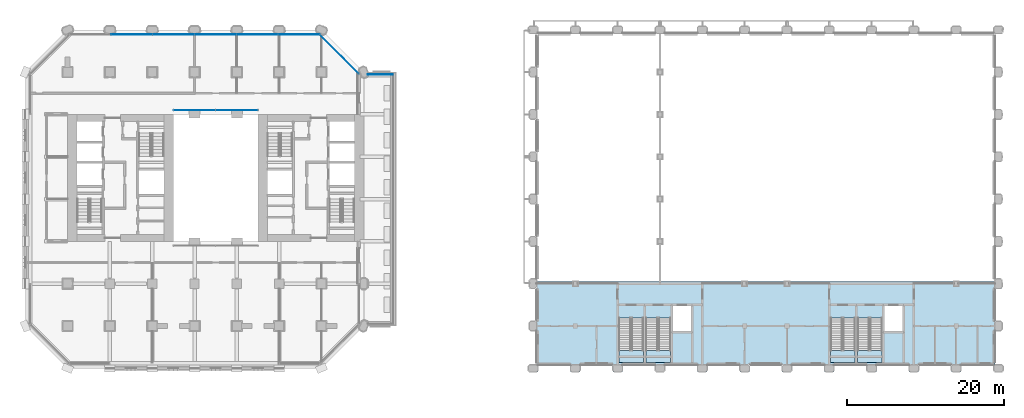
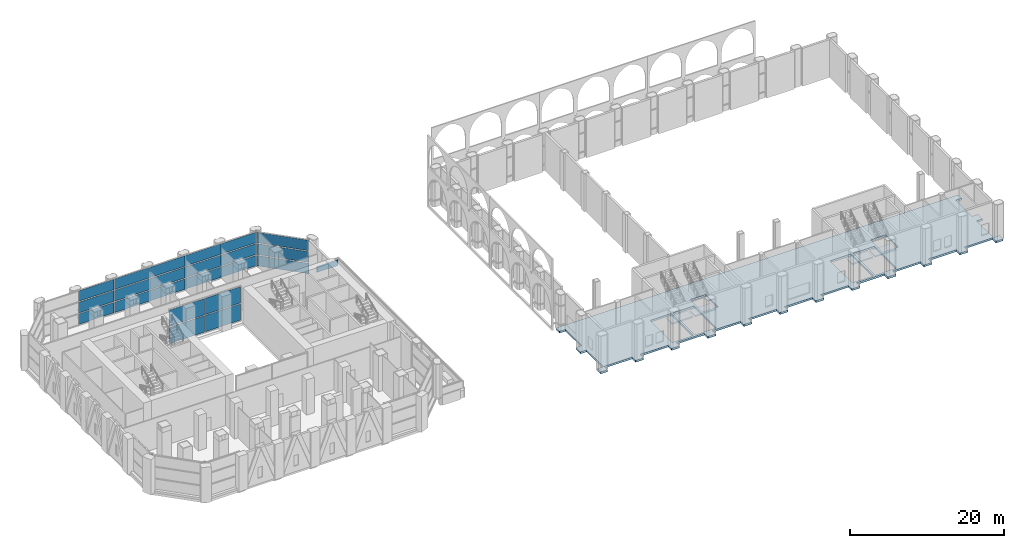
# One storey, part 11 of 34: 23 plates, 5 slabs, 7 elements without a shape of their own.
"""IFC4 building model written with IfcOpenShell, lengths in metres."""

from ifc_helpers import new_model, si_unit, direction, frame, frame_2d, origin, origin_2d, place, context, subcontext, project, spatial, polyline, rectangle, outline, extrude, material, layer, layer_set, type_object, element, aggregate, save


model = new_model("IFC4")

# Units and contexts
model_context = context("Model", 3, precision=1e-05, world=origin(), true_north=direction((0.0, 1.0)))
body_context = subcontext(model_context, "Body", "Model", "MODEL_VIEW")
ifc_project = project(units=[si_unit("LENGTHUNIT", "METRE"), si_unit("AREAUNIT", "SQUARE_METRE"), si_unit("VOLUMEUNIT", "CUBIC_METRE"), si_unit("PLANEANGLEUNIT", "RADIAN"), si_unit("MASSUNIT", "GRAM", prefix="KILO")], contexts=[model_context])

# Site, building, storey
site_placement = place(None, origin())
site = spatial("IfcSite", under=ifc_project, at=site_placement, CompositionType="ELEMENT")
building_placement = place(site_placement, origin())
building = spatial("IfcBuilding", under=site, at=building_placement, Name="Tabaq Tower and Sports Hall", CompositionType="ELEMENT")
storey_placement = place(building_placement, frame((0.0, 0.0, 8.39990234375)))
storey = spatial("IfcBuildingStorey", under=building, at=storey_placement, Name="L01", CompositionType="ELEMENT", Elevation=8.39990234375)

# Curtain wall, plates
ifc_material_1 = material(Name="Aluminium alloy 6063-T6 framed glazing", Category="aluminium")
curtain_wall_type_1 = type_object("IfcCurtainWallType", Name="CW1 curtain wall", PredefinedType="USERDEFINED", material=ifc_material_1)
curtain_wall_1_placement = place(storey_placement, origin())
curtain_wall_1 = element("IfcCurtainWall", 1, at=curtain_wall_1_placement, inside=storey, type_object=curtain_wall_type_1, Name="Atrium glazing L01 N", ObjectType="ATRIUM ENCLOSURE", PredefinedType="USERDEFINED")
ifc_material_2 = material(Name="Clear low-emissivity glass 28 mm", Category="glass")
ifc_layer_1 = layer(ifc_material_2, 0.028076171875)
ifc_layer_set_1 = layer_set([ifc_layer_1], Name="CW1 glass panel 28")
plate_type_1 = type_object("IfcPlateType", Name="CW1 glass panel 28", PredefinedType="CURTAIN_PANEL", material=ifc_layer_set_1)
plate_1_placement = place(storey_placement, frame((21.614990234375, 32.949951171875, 0.14013671875), z_axis=(0.0, 0.0, 1.0), x_axis=(1.0, 0.0, 0.0)))
plate_1 = element("IfcPlate", 2, at=plate_1_placement, type_object=plate_type_1, Name="CW1 panel 1.1", PredefinedType="CURTAIN_PANEL", context=body_context, shape_type="SweptSolid", body=[
    extrude(rectangle(XDim=5.31005859375, YDim=0.028076171875, at=origin_2d()), origin(), (0.0, 0.0, 1.0), 2.590087890625),
])
plate_2_placement = place(storey_placement, frame((21.614990234375, 32.949951171875, 2.8701171875), z_axis=(0.0, 0.0, 1.0), x_axis=(1.0, 0.0, 0.0)))
plate_2 = element("IfcPlate", 3, at=plate_2_placement, type_object=plate_type_1, Name="CW1 panel 1.2", PredefinedType="CURTAIN_PANEL", context=body_context, shape_type="SweptSolid", body=[
    extrude(rectangle(XDim=5.31005859375, YDim=0.028076171875, at=origin_2d()), origin(), (0.0, 0.0, 1.0), 2.590087890625),
])
plate_3_placement = place(storey_placement, frame((26.985107421875, 32.949951171875, 0.14013671875), z_axis=(0.0, 0.0, 1.0), x_axis=(1.0, 0.0, 0.0)))
plate_3 = element("IfcPlate", 4, at=plate_3_placement, type_object=plate_type_1, Name="CW1 panel 2.1", PredefinedType="CURTAIN_PANEL", context=body_context, shape_type="SweptSolid", body=[
    extrude(rectangle(XDim=5.31005859375, YDim=0.028076171875, at=origin_2d()), origin(), (0.0, 0.0, 1.0), 2.590087890625),
])
plate_4_placement = place(storey_placement, frame((26.985107421875, 32.949951171875, 2.8701171875), z_axis=(0.0, 0.0, 1.0), x_axis=(1.0, 0.0, 0.0)))
plate_4 = element("IfcPlate", 5, at=plate_4_placement, type_object=plate_type_1, Name="CW1 panel 2.2", PredefinedType="CURTAIN_PANEL", context=body_context, shape_type="SweptSolid", body=[
    extrude(rectangle(XDim=5.31005859375, YDim=0.028076171875, at=origin_2d()), origin(), (0.0, 0.0, 1.0), 2.590087890625),
])
aggregate(curtain_wall_1, [plate_1, plate_2, plate_3, plate_4])

ifc_material_3 = material(Name="Aluminium alloy 6063-T6 framed glazing", Category="aluminium")
curtain_wall_type_2 = type_object("IfcCurtainWallType", Name="CW7 curtain wall", PredefinedType="USERDEFINED", material=ifc_material_3)
curtain_wall_2_placement = place(storey_placement, origin())
curtain_wall_2 = element("IfcCurtainWall", 6, at=curtain_wall_2_placement, inside=storey, type_object=curtain_wall_type_2, Name="Podium Wall L01 NE", ObjectType="PODIUM WALL", PredefinedType="USERDEFINED")
ifc_material_4 = material(Name="Clear low-emissivity glass 28 mm", Category="glass")
ifc_layer_2 = layer(ifc_material_4, 0.030029296875)
ifc_layer_set_2 = layer_set([ifc_layer_2], Name="CW7 glass panel 30")
plate_type_2 = type_object("IfcPlateType", Name="CW7 glass panel 30", PredefinedType="CURTAIN_PANEL", material=ifc_layer_set_2)
plate_5_placement = place(storey_placement, frame((40.07568359375, 40.07568359375, 0.14013671875), z_axis=(0.0, 0.0, 1.0), x_axis=(-0.707106781187, 0.707106781187, 0.0)))
plate_5 = element("IfcPlate", 7, at=plate_5_placement, type_object=plate_type_2, Name="CW7 panel 1.1", PredefinedType="CURTAIN_PANEL", context=body_context, shape_type="SweptSolid", body=[
    extrude(rectangle(XDim=7.009765625, YDim=0.030029296875, at=origin_2d()), origin(), (0.0, 0.0, 1.0), 1.65673828125),
])
plate_6_placement = place(storey_placement, frame((40.07568359375, 40.07568359375, 1.936767578125), z_axis=(0.0, 0.0, 1.0), x_axis=(-0.707106781187, 0.707106781187, 0.0)))
plate_6 = element("IfcPlate", 8, at=plate_6_placement, type_object=plate_type_2, Name="CW7 panel 1.2", PredefinedType="CURTAIN_PANEL", context=body_context, shape_type="SweptSolid", body=[
    extrude(rectangle(XDim=7.009765625, YDim=0.030029296875, at=origin_2d()), origin(), (0.0, 0.0, 1.0), 1.7265625),
])
plate_7_placement = place(storey_placement, frame((40.07568359375, 40.07568359375, 3.803466796875), z_axis=(0.0, 0.0, 1.0), x_axis=(-0.707106781187, 0.707106781187, 0.0)))
plate_7 = element("IfcPlate", 9, at=plate_7_placement, type_object=plate_type_2, Name="CW7 panel 1.3", PredefinedType="CURTAIN_PANEL", context=body_context, shape_type="SweptSolid", body=[
    extrude(rectangle(XDim=7.009765625, YDim=0.030029296875, at=origin_2d()), origin(), (0.0, 0.0, 1.0), 1.65673828125),
])
aggregate(curtain_wall_2, [plate_5, plate_6, plate_7])

curtain_wall_3_placement = place(storey_placement, origin())
curtain_wall_3 = element("IfcCurtainWall", 10, at=curtain_wall_3_placement, inside=storey, type_object=curtain_wall_type_2, Name="Podium Wall L01 N", ObjectType="PODIUM WALL", PredefinedType="USERDEFINED")
plate_8_placement = place(storey_placement, frame((34.928466796875, 42.60009765625, 0.14013671875), z_axis=(0.0, 0.0, 1.0), x_axis=(-1.0, 0.0, 0.0)))
plate_8 = element("IfcPlate", 11, at=plate_8_placement, type_object=plate_type_2, Name="CW7 panel 1.1", PredefinedType="CURTAIN_PANEL", context=body_context, shape_type="SweptSolid", body=[
    extrude(rectangle(XDim=5.240478515625, YDim=0.030029296875, at=origin_2d()), origin(), (0.0, 0.0, 1.0), 1.65673828125),
])
plate_9_placement = place(storey_placement, frame((34.928466796875, 42.60009765625, 1.936767578125), z_axis=(0.0, 0.0, 1.0), x_axis=(-1.0, 0.0, 0.0)))
plate_9 = element("IfcPlate", 12, at=plate_9_placement, type_object=plate_type_2, Name="CW7 panel 1.2", PredefinedType="CURTAIN_PANEL", context=body_context, shape_type="SweptSolid", body=[
    extrude(rectangle(XDim=5.240478515625, YDim=0.030029296875, at=origin_2d()), origin(), (0.0, 0.0, 1.0), 1.7265625),
])
plate_10_placement = place(storey_placement, frame((34.928466796875, 42.60009765625, 3.803466796875), z_axis=(0.0, 0.0, 1.0), x_axis=(-1.0, 0.0, 0.0)))
plate_10 = element("IfcPlate", 13, at=plate_10_placement, type_object=plate_type_2, Name="CW7 panel 1.3", PredefinedType="CURTAIN_PANEL", context=body_context, shape_type="SweptSolid", body=[
    extrude(rectangle(XDim=5.240478515625, YDim=0.030029296875, at=origin_2d()), origin(), (0.0, 0.0, 1.0), 1.65673828125),
])
plate_11_placement = place(storey_placement, frame((29.606689453125, 42.60009765625, 0.14013671875), z_axis=(0.0, 0.0, 1.0), x_axis=(-1.0, 0.0, 0.0)))
plate_11 = element("IfcPlate", 14, at=plate_11_placement, type_object=plate_type_2, Name="CW7 panel 2.1", PredefinedType="CURTAIN_PANEL", context=body_context, shape_type="SweptSolid", body=[
    extrude(rectangle(XDim=5.27294921875, YDim=0.030029296875, at=origin_2d()), origin(), (0.0, 0.0, 1.0), 1.65673828125),
])
plate_12_placement = place(storey_placement, frame((29.606689453125, 42.60009765625, 1.936767578125), z_axis=(0.0, 0.0, 1.0), x_axis=(-1.0, 0.0, 0.0)))
plate_12 = element("IfcPlate", 15, at=plate_12_placement, type_object=plate_type_2, Name="CW7 panel 2.2", PredefinedType="CURTAIN_PANEL", context=body_context, shape_type="SweptSolid", body=[
    extrude(rectangle(XDim=5.27294921875, YDim=0.030029296875, at=origin_2d()), origin(), (0.0, 0.0, 1.0), 1.7265625),
])
plate_13_placement = place(storey_placement, frame((29.606689453125, 42.60009765625, 3.803466796875), z_axis=(0.0, 0.0, 1.0), x_axis=(-1.0, 0.0, 0.0)))
plate_13 = element("IfcPlate", 16, at=plate_13_placement, type_object=plate_type_2, Name="CW7 panel 2.3", PredefinedType="CURTAIN_PANEL", context=body_context, shape_type="SweptSolid", body=[
    extrude(rectangle(XDim=5.27294921875, YDim=0.030029296875, at=origin_2d()), origin(), (0.0, 0.0, 1.0), 1.65673828125),
])
plate_14_placement = place(storey_placement, frame((24.26904296875, 42.60009765625, 0.14013671875), z_axis=(0.0, 0.0, 1.0), x_axis=(-1.0, 0.0, 0.0)))
plate_14 = element("IfcPlate", 17, at=plate_14_placement, type_object=plate_type_2, Name="CW7 panel 3.1", PredefinedType="CURTAIN_PANEL", context=body_context, shape_type="SweptSolid", body=[
    extrude(rectangle(XDim=5.27294921875, YDim=0.030029296875, at=origin_2d()), origin(), (0.0, 0.0, 1.0), 1.65673828125),
])
plate_15_placement = place(storey_placement, frame((24.26904296875, 42.60009765625, 1.936767578125), z_axis=(0.0, 0.0, 1.0), x_axis=(-1.0, 0.0, 0.0)))
plate_15 = element("IfcPlate", 18, at=plate_15_placement, type_object=plate_type_2, Name="CW7 panel 3.2", PredefinedType="CURTAIN_PANEL", context=body_context, shape_type="SweptSolid", body=[
    extrude(rectangle(XDim=5.27294921875, YDim=0.030029296875, at=origin_2d()), origin(), (0.0, 0.0, 1.0), 1.7265625),
])
plate_16_placement = place(storey_placement, frame((24.26904296875, 42.60009765625, 3.803466796875), z_axis=(0.0, 0.0, 1.0), x_axis=(-1.0, 0.0, 0.0)))
plate_16 = element("IfcPlate", 19, at=plate_16_placement, type_object=plate_type_2, Name="CW7 panel 3.3", PredefinedType="CURTAIN_PANEL", context=body_context, shape_type="SweptSolid", body=[
    extrude(rectangle(XDim=5.27294921875, YDim=0.030029296875, at=origin_2d()), origin(), (0.0, 0.0, 1.0), 1.65673828125),
])
plate_17_placement = place(storey_placement, frame((18.93115234375, 42.60009765625, 0.14013671875), z_axis=(0.0, 0.0, 1.0), x_axis=(-1.0, 0.0, 0.0)))
plate_17 = element("IfcPlate", 20, at=plate_17_placement, type_object=plate_type_2, Name="CW7 panel 4.1", PredefinedType="CURTAIN_PANEL", context=body_context, shape_type="SweptSolid", body=[
    extrude(rectangle(XDim=5.27294921875, YDim=0.030029296875, at=origin_2d()), origin(), (0.0, 0.0, 1.0), 1.65673828125),
])
plate_18_placement = place(storey_placement, frame((18.93115234375, 42.60009765625, 1.936767578125), z_axis=(0.0, 0.0, 1.0), x_axis=(-1.0, 0.0, 0.0)))
plate_18 = element("IfcPlate", 21, at=plate_18_placement, type_object=plate_type_2, Name="CW7 panel 4.2", PredefinedType="CURTAIN_PANEL", context=body_context, shape_type="SweptSolid", body=[
    extrude(rectangle(XDim=5.27294921875, YDim=0.030029296875, at=origin_2d()), origin(), (0.0, 0.0, 1.0), 1.7265625),
])
plate_19_placement = place(storey_placement, frame((18.93115234375, 42.60009765625, 3.803466796875), z_axis=(0.0, 0.0, 1.0), x_axis=(-1.0, 0.0, 0.0)))
plate_19 = element("IfcPlate", 22, at=plate_19_placement, type_object=plate_type_2, Name="CW7 panel 4.3", PredefinedType="CURTAIN_PANEL", context=body_context, shape_type="SweptSolid", body=[
    extrude(rectangle(XDim=5.27294921875, YDim=0.030029296875, at=origin_2d()), origin(), (0.0, 0.0, 1.0), 1.65673828125),
])
plate_20_placement = place(storey_placement, frame((13.59326171875, 42.60009765625, 0.14013671875), z_axis=(0.0, 0.0, 1.0), x_axis=(-1.0, 0.0, 0.0)))
plate_20 = element("IfcPlate", 23, at=plate_20_placement, type_object=plate_type_2, Name="CW7 panel 5.1", PredefinedType="CURTAIN_PANEL", context=body_context, shape_type="SweptSolid", body=[
    extrude(rectangle(XDim=5.27294921875, YDim=0.030029296875, at=origin_2d()), origin(), (0.0, 0.0, 1.0), 1.65673828125),
])
plate_21_placement = place(storey_placement, frame((13.59326171875, 42.60009765625, 1.936767578125), z_axis=(0.0, 0.0, 1.0), x_axis=(-1.0, 0.0, 0.0)))
plate_21 = element("IfcPlate", 24, at=plate_21_placement, type_object=plate_type_2, Name="CW7 panel 5.2", PredefinedType="CURTAIN_PANEL", context=body_context, shape_type="SweptSolid", body=[
    extrude(rectangle(XDim=5.27294921875, YDim=0.030029296875, at=origin_2d()), origin(), (0.0, 0.0, 1.0), 1.7265625),
])
plate_22_placement = place(storey_placement, frame((13.59326171875, 42.60009765625, 3.803466796875), z_axis=(0.0, 0.0, 1.0), x_axis=(-1.0, 0.0, 0.0)))
plate_22 = element("IfcPlate", 25, at=plate_22_placement, type_object=plate_type_2, Name="CW7 panel 5.3", PredefinedType="CURTAIN_PANEL", context=body_context, shape_type="SweptSolid", body=[
    extrude(rectangle(XDim=5.27294921875, YDim=0.030029296875, at=origin_2d()), origin(), (0.0, 0.0, 1.0), 1.65673828125),
])
aggregate(curtain_wall_3, [plate_8, plate_9, plate_10, plate_11, plate_12, plate_13, plate_14, plate_15, plate_16, plate_17, plate_18, plate_19, plate_20, plate_21, plate_22])

# Slab
ifc_material_5 = material(Name="Concrete C40/50", Category="concrete")
ifc_layer_3 = layer(ifc_material_5, 0.300048828125)
ifc_layer_set_3 = layer_set([ifc_layer_3], Name="HALL FLOOR SLAB PT 300 C40/50")
slab_type_1 = type_object("IfcSlabType", Name="HALL FLOOR SLAB PT 300 C40/50", PredefinedType="FLOOR", material=ifc_layer_set_3)
slab_1_placement = place(storey_placement, frame((0.0, 0.0, -0.2998046875)))
element("IfcSlab", 26, at=slab_1_placement, inside=storey, type_object=slab_type_1, Name="L01 floor slab", PredefinedType="FLOOR", context=body_context, shape_type="SweptSolid", body=[
    extrude(outline(polyline([(76.199951171875, 0.449951171875), (76.199951171875, -0.449951171875), (75.0, -0.449951171875), (75.0, 0.449951171875), (70.800048828125, 0.449951171875), (70.800048828125, -0.449951171875), (69.60009765625, -0.449951171875), (69.60009765625, 0.449951171875), (65.39990234375, 0.449951171875), (65.39990234375, -0.449951171875), (64.35009765625, -0.449951171875), (64.35009765625, 0.449951171875), (65.25, 0.449951171875), (65.25, 4.800048828125), (64.35009765625, 4.800048828125), (64.35009765625, 6.0), (65.25, 6.0), (65.25, 10.199951171875), (64.35009765625, 10.199951171875), (64.35009765625, 11.10009765625), (124.64990234375, 11.10009765625), (124.64990234375, 10.199951171875), (123.75, 10.199951171875), (123.75, 6.0), (124.64990234375, 6.0), (124.64990234375, 4.800048828125), (123.75, 4.800048828125), (123.75, 0.449951171875), (124.64990234375, 0.449951171875), (124.64990234375, -0.449951171875), (123.60009765625, -0.449951171875), (123.60009765625, 0.449951171875), (119.39990234375, 0.449951171875), (119.39990234375, -0.449951171875), (118.199951171875, -0.449951171875), (118.199951171875, 0.449951171875), (114.0, 0.449951171875), (114.0, -0.449951171875), (112.800048828125, -0.449951171875), (112.800048828125, 0.449951171875), (108.60009765625, 0.449951171875), (108.60009765625, -0.449951171875), (107.39990234375, -0.449951171875), (107.39990234375, 0.449951171875), (103.199951171875, 0.449951171875), (103.199951171875, -0.449951171875), (102.0, -0.449951171875), (102.0, 0.449951171875), (97.800048828125, 0.449951171875), (97.800048828125, -0.449951171875), (96.60009765625, -0.449951171875), (96.60009765625, 0.449951171875), (92.39990234375, 0.449951171875), (92.39990234375, -0.449951171875), (91.199951171875, -0.449951171875), (91.199951171875, 0.449951171875), (87.0, 0.449951171875), (87.0, -0.449951171875), (85.800048828125, -0.449951171875), (85.800048828125, 0.449951171875), (81.60009765625, 0.449951171875), (81.60009765625, -0.449951171875), (80.39990234375, -0.449951171875), (80.39990234375, 0.449951171875), (76.199951171875, 0.449951171875)]), holes=[polyline([(82.64990234375, 4.75), (84.949951171875, 4.75), (84.949951171875, 7.949951171875), (82.64990234375, 7.949951171875), (82.64990234375, 4.75)]), polyline([(109.64990234375, 4.75), (111.949951171875, 4.75), (111.949951171875, 7.949951171875), (109.64990234375, 7.949951171875), (109.64990234375, 4.75)]), polyline([(75.75, 6.449462890625), (75.75, 0.75), (78.89990234375, 0.75), (78.89990234375, 6.449462890625), (75.75, 6.449462890625)]), polyline([(79.199951171875, 6.449462890625), (79.199951171875, 0.75), (82.35009765625, 0.75), (82.35009765625, 6.449462890625), (79.199951171875, 6.449462890625)]), polyline([(102.75, 6.449462890625), (102.75, 0.75), (105.89990234375, 0.75), (105.89990234375, 6.449462890625), (102.75, 6.449462890625)]), polyline([(106.199951171875, 6.449462890625), (106.199951171875, 0.75), (109.35009765625, 0.75), (109.35009765625, 6.449462890625), (106.199951171875, 6.449462890625)])]), origin(), (0.0, 0.0, 1.0), 0.2998046875),
])

# Stair, slab
ifc_material_6 = material(Name="Concrete C40/50", Category="concrete")
stair_type = type_object("IfcStairType", Name="HALL STAIR HALF-TURN", PredefinedType="HALF_TURN_STAIR", material=ifc_material_6)
stair_1_placement = place(storey_placement, origin())
stair_1 = element("IfcStair", 27, at=stair_1_placement, inside=storey, type_object=stair_type, Name="L01 Stair H1", PredefinedType="HALF_TURN_STAIR")
ifc_material_7 = material(Name="Concrete C40/50", Category="concrete")
ifc_layer_4 = layer(ifc_material_7, 0.199951171875)
ifc_layer_set_4 = layer_set([ifc_layer_4], Name="HALL STAIR LANDING 200")
slab_type_2 = type_object("IfcSlabType", Name="HALL STAIR LANDING 200", PredefinedType="LANDING", material=ifc_layer_set_4)
slab_2_placement = place(storey_placement, frame((0.0, 0.0, 2.800048828125)))
slab_2 = element("IfcSlab", 28, at=slab_2_placement, type_object=slab_type_2, Name="ST-H1 landing 1", PredefinedType="LANDING", context=body_context, shape_type="SweptSolid", body=[
    extrude(outline(polyline([(75.75, 2.25), (75.75, 0.75), (78.89990234375, 0.75), (78.89990234375, 2.25), (75.75, 2.25)])), origin(), (0.0, 0.0, 1.0), 0.199951171875),
])
aggregate(stair_1, [slab_2])

stair_2_placement = place(storey_placement, origin())
stair_2 = element("IfcStair", 29, at=stair_2_placement, inside=storey, type_object=stair_type, Name="L01 Stair H2", PredefinedType="HALF_TURN_STAIR")
slab_3_placement = place(storey_placement, frame((0.0, 0.0, 2.800048828125)))
slab_3 = element("IfcSlab", 30, at=slab_3_placement, type_object=slab_type_2, Name="ST-H2 landing 1", PredefinedType="LANDING", context=body_context, shape_type="SweptSolid", body=[
    extrude(outline(polyline([(79.199951171875, 2.25), (79.199951171875, 0.75), (82.35009765625, 0.75), (82.35009765625, 2.25), (79.199951171875, 2.25)])), origin(), (0.0, 0.0, 1.0), 0.199951171875),
])
aggregate(stair_2, [slab_3])

stair_3_placement = place(storey_placement, origin())
stair_3 = element("IfcStair", 31, at=stair_3_placement, inside=storey, type_object=stair_type, Name="L01 Stair H3", PredefinedType="HALF_TURN_STAIR")
slab_4_placement = place(storey_placement, frame((0.0, 0.0, 2.800048828125)))
slab_4 = element("IfcSlab", 32, at=slab_4_placement, type_object=slab_type_2, Name="ST-H3 landing 1", PredefinedType="LANDING", context=body_context, shape_type="SweptSolid", body=[
    extrude(outline(polyline([(102.75, 2.25), (102.75, 0.75), (105.89990234375, 0.75), (105.89990234375, 2.25), (102.75, 2.25)])), origin(), (0.0, 0.0, 1.0), 0.199951171875),
])
aggregate(stair_3, [slab_4])

stair_4_placement = place(storey_placement, origin())
stair_4 = element("IfcStair", 33, at=stair_4_placement, inside=storey, type_object=stair_type, Name="L01 Stair H4", PredefinedType="HALF_TURN_STAIR")
slab_5_placement = place(storey_placement, frame((0.0, 0.0, 2.800048828125)))
slab_5 = element("IfcSlab", 34, at=slab_5_placement, type_object=slab_type_2, Name="ST-H4 landing 1", PredefinedType="LANDING", context=body_context, shape_type="SweptSolid", body=[
    extrude(outline(polyline([(106.199951171875, 2.25), (106.199951171875, 0.75), (109.35009765625, 0.75), (109.35009765625, 2.25), (106.199951171875, 2.25)])), origin(), (0.0, 0.0, 1.0), 0.199951171875),
])
aggregate(stair_4, [slab_5])

# Plate
ifc_material_8 = material(Name="Clear low-emissivity glass 28 mm", Category="glass")
ifc_layer_5 = layer(ifc_material_8, 0.02001953125)
ifc_layer_set_5 = layer_set([ifc_layer_5], Name="Laminated glass tray guard panel 20")
plate_type_3 = type_object("IfcPlateType", Name="Laminated glass tray guard panel 20", PredefinedType="USERDEFINED", material=ifc_layer_set_5)
plate_23_placement = place(storey_placement, frame((46.89990234375, 37.5, 0.0), z_axis=(0.0, 0.0, 1.0), x_axis=(-1.0, 0.0, 0.0)))
element("IfcPlate", 35, at=plate_23_placement, inside=storey, type_object=plate_type_3, Name="Tray guard glass L01", ObjectType="GUARD GLASS", PredefinedType="USERDEFINED", context=body_context, shape_type="SweptSolid", body=[
    extrude(rectangle(XDim=3.199951171875, YDim=0.02001953125, at=frame_2d((1.60009765625, 0.0))), origin(), (0.0, 0.0, 1.0), 0.9501953125),
])

save(model, "model.ifc")
